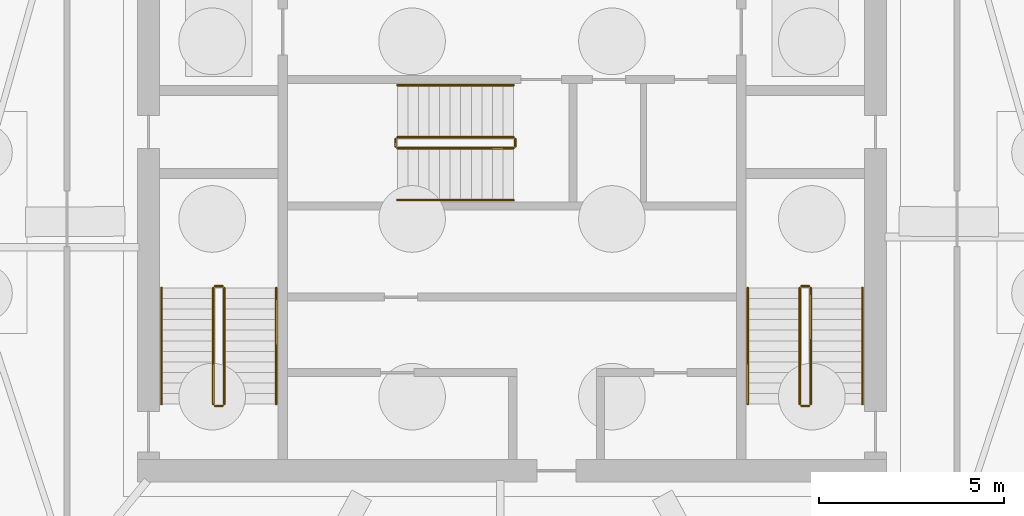
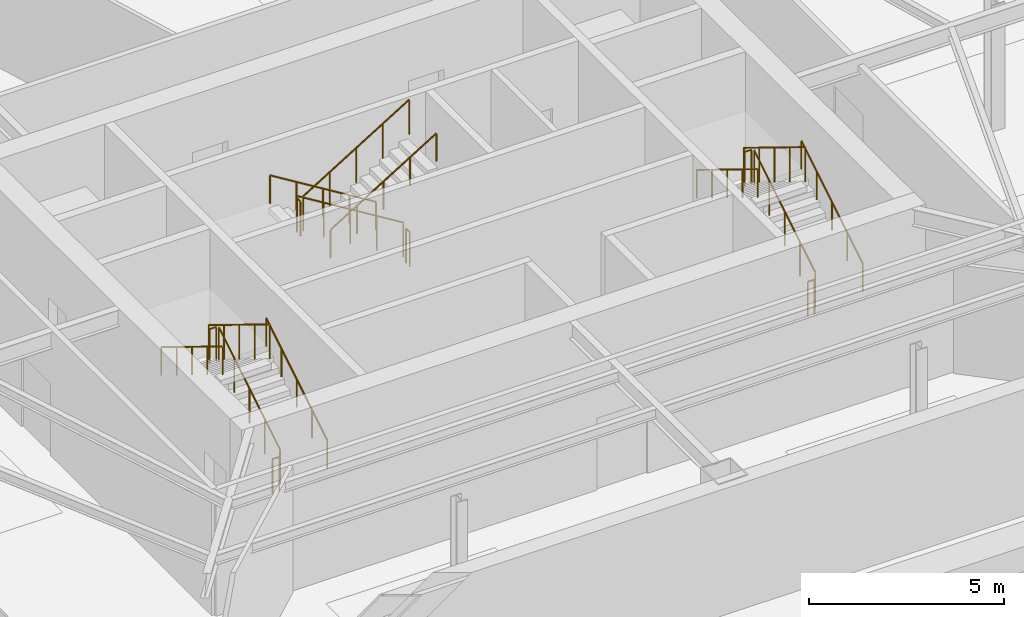
# One storey, part 10 of 11: 18 railings.
"""IFC4 building model written with IfcOpenShell, lengths in metres."""

from ifc_helpers import new_model, si_unit, direction, frame, origin, origin_2d, place, context, subcontext, project, spatial, circle, extrude, material, type_object, element, save


model = new_model("IFC4")

# Units and contexts
model_context = context("Model", 3, precision=1e-05, world=origin(), true_north=direction((0.0, 1.0)))
body_context = subcontext(model_context, "Body", "Model", "MODEL_VIEW")
ifc_project = project(units=[si_unit("LENGTHUNIT", "METRE"), si_unit("AREAUNIT", "SQUARE_METRE"), si_unit("VOLUMEUNIT", "CUBIC_METRE"), si_unit("PLANEANGLEUNIT", "RADIAN"), si_unit("MASSUNIT", "GRAM", prefix="KILO")], contexts=[model_context])

# Site, building, storey
site_placement = place(None, origin())
site = spatial("IfcSite", under=ifc_project, at=site_placement, CompositionType="ELEMENT")
building_placement = place(site_placement, origin())
building = spatial("IfcBuilding", under=site, at=building_placement, Name="Kavelnor Concourse Tower", CompositionType="ELEMENT")
storey_placement = place(building_placement, frame((0.0, 0.0, -8.39990234375)))
storey = spatial("IfcBuildingStorey", under=building, at=storey_placement, Name="B02", CompositionType="ELEMENT", Elevation=-8.39990234375)

# Railings
ifc_material = material(Name="Steel Grade 350", Category="steel")
railing_type_1 = type_object("IfcRailingType", Name="RLG-GUARD-1100", PredefinedType="GUARDRAIL", material=ifc_material)
railing_1_placement = place(storey_placement, frame((30.22998046875, 11.10009765625, 0.1748046875)))
element("IfcRailing", 1, at=railing_1_placement, inside=storey, type_object=railing_type_1, Name="B02 ST1 stair guard 1", PredefinedType="GUARDRAIL", context=body_context, shape_type="SweptSolid", body=[
    extrude(circle(Radius=0.02392578125, at=origin_2d()), frame((0.0, 0.0, 1.076171875), z_axis=(0.0, 0.852166034122, 0.523271488128), x_axis=(-1.0, 0.0, 0.0)), (0.0, 0.0, 1.0), 3.678955078125),
    extrude(circle(Radius=0.02099609375, at=origin_2d()), origin(), (0.0, 0.0, 1.0), 1.052001953125),
    extrude(circle(Radius=0.02099609375, at=origin_2d()), frame((0.0, 0.78369140625, 0.481201171875)), (0.0, 0.0, 1.0), 1.052001953125),
    extrude(circle(Radius=0.02099609375, at=origin_2d()), frame((0.0, 1.5673828125, 0.96240234375)), (0.0, 0.0, 1.0), 1.052001953125),
    extrude(circle(Radius=0.02099609375, at=origin_2d()), frame((0.0, 2.351318359375, 1.44384765625)), (0.0, 0.0, 1.0), 1.052001953125),
    extrude(circle(Radius=0.02099609375, at=origin_2d()), frame((0.0, 3.135009765625, 1.925048828125)), (0.0, 0.0, 1.0), 1.052001953125),
])
railing_2_placement = place(storey_placement, frame((30.179931640625, 14.284912109375, 2.099853515625)))
element("IfcRailing", 2, at=railing_2_placement, inside=storey, type_object=railing_type_1, Name="B02 ST1 stair guard 2", PredefinedType="GUARDRAIL", context=body_context, shape_type="SweptSolid", body=[
    extrude(circle(Radius=0.02392578125, at=origin_2d()), frame((0.0, 0.0, 1.076171875), z_axis=(-1.0, 0.0, 0.0), x_axis=(0.0, -1.0, 0.0)), (0.0, 0.0, 1.0), 0.199951171875),
    extrude(circle(Radius=0.02099609375, at=origin_2d()), origin(), (0.0, 0.0, 1.0), 1.052001953125),
    extrude(circle(Radius=0.02099609375, at=origin_2d()), frame((-0.199951171875, 0.0, 0.0)), (0.0, 0.0, 1.0), 1.052001953125),
])
railing_3_placement = place(storey_placement, frame((29.929931640625, 14.235107421875, 2.27490234375)))
element("IfcRailing", 3, at=railing_3_placement, inside=storey, type_object=railing_type_1, Name="B02 ST1 stair guard 3", PredefinedType="GUARDRAIL", context=body_context, shape_type="SweptSolid", body=[
    extrude(circle(Radius=0.02392578125, at=origin_2d()), frame((0.0, 0.0, 1.076171875), z_axis=(0.0, -0.852166034122, 0.523271488128), x_axis=(1.0, 0.0, 0.0)), (0.0, 0.0, 1.0), 3.678955078125),
    extrude(circle(Radius=0.02099609375, at=origin_2d()), origin(), (0.0, 0.0, 1.0), 1.052001953125),
    extrude(circle(Radius=0.02099609375, at=origin_2d()), frame((0.0, -0.78369140625, 0.481201171875)), (0.0, 0.0, 1.0), 1.052001953125),
    extrude(circle(Radius=0.02099609375, at=origin_2d()), frame((0.0, -1.5673828125, 0.96240234375)), (0.0, 0.0, 1.0), 1.052001953125),
    extrude(circle(Radius=0.02099609375, at=origin_2d()), frame((0.0, -2.351318359375, 1.44384765625)), (0.0, 0.0, 1.0), 1.052001953125),
    extrude(circle(Radius=0.02099609375, at=origin_2d()), frame((0.0, -3.135009765625, 1.925048828125)), (0.0, 0.0, 1.0), 1.052001953125),
])
railing_4_placement = place(storey_placement, frame((30.179931640625, 11.050048828125, 0.0)))
element("IfcRailing", 4, at=railing_4_placement, inside=storey, type_object=railing_type_1, Name="B02 ST1 stair guard 4", PredefinedType="GUARDRAIL", context=body_context, shape_type="SweptSolid", body=[
    extrude(circle(Radius=0.02392578125, at=origin_2d()), frame((0.0, 0.0, 1.076171875), z_axis=(-1.0, 0.0, 0.0), x_axis=(0.0, -1.0, 0.0)), (0.0, 0.0, 1.0), 0.199951171875),
    extrude(circle(Radius=0.02099609375, at=origin_2d()), origin(), (0.0, 0.0, 1.0), 1.052001953125),
    extrude(circle(Radius=0.02099609375, at=origin_2d()), frame((-0.199951171875, 0.0, 0.0)), (0.0, 0.0, 1.0), 1.052001953125),
])
railing_5_placement = place(storey_placement, frame((46.070068359375, 11.10009765625, 0.1748046875)))
element("IfcRailing", 5, at=railing_5_placement, inside=storey, type_object=railing_type_1, Name="B02 ST2 stair guard 1", PredefinedType="GUARDRAIL", context=body_context, shape_type="SweptSolid", body=[
    extrude(circle(Radius=0.02392578125, at=origin_2d()), frame((0.0, 0.0, 1.076171875), z_axis=(0.0, 0.852166034122, 0.523271488128), x_axis=(-1.0, 0.0, 0.0)), (0.0, 0.0, 1.0), 3.678955078125),
    extrude(circle(Radius=0.02099609375, at=origin_2d()), origin(), (0.0, 0.0, 1.0), 1.052001953125),
    extrude(circle(Radius=0.02099609375, at=origin_2d()), frame((0.0, 0.78369140625, 0.481201171875)), (0.0, 0.0, 1.0), 1.052001953125),
    extrude(circle(Radius=0.02099609375, at=origin_2d()), frame((0.0, 1.5673828125, 0.96240234375)), (0.0, 0.0, 1.0), 1.052001953125),
    extrude(circle(Radius=0.02099609375, at=origin_2d()), frame((0.0, 2.351318359375, 1.44384765625)), (0.0, 0.0, 1.0), 1.052001953125),
    extrude(circle(Radius=0.02099609375, at=origin_2d()), frame((0.0, 3.135009765625, 1.925048828125)), (0.0, 0.0, 1.0), 1.052001953125),
])
railing_6_placement = place(storey_placement, frame((46.02001953125, 14.284912109375, 2.099853515625)))
element("IfcRailing", 6, at=railing_6_placement, inside=storey, type_object=railing_type_1, Name="B02 ST2 stair guard 2", PredefinedType="GUARDRAIL", context=body_context, shape_type="SweptSolid", body=[
    extrude(circle(Radius=0.02392578125, at=origin_2d()), frame((0.0, 0.0, 1.076171875), z_axis=(-1.0, 0.0, 0.0), x_axis=(0.0, -1.0, 0.0)), (0.0, 0.0, 1.0), 0.199951171875),
    extrude(circle(Radius=0.02099609375, at=origin_2d()), origin(), (0.0, 0.0, 1.0), 1.052001953125),
    extrude(circle(Radius=0.02099609375, at=origin_2d()), frame((-0.199951171875, 0.0, 0.0)), (0.0, 0.0, 1.0), 1.052001953125),
])
railing_7_placement = place(storey_placement, frame((45.77001953125, 14.235107421875, 2.27490234375)))
element("IfcRailing", 7, at=railing_7_placement, inside=storey, type_object=railing_type_1, Name="B02 ST2 stair guard 3", PredefinedType="GUARDRAIL", context=body_context, shape_type="SweptSolid", body=[
    extrude(circle(Radius=0.02392578125, at=origin_2d()), frame((0.0, 0.0, 1.076171875), z_axis=(0.0, -0.852166034122, 0.523271488128), x_axis=(1.0, 0.0, 0.0)), (0.0, 0.0, 1.0), 3.678955078125),
    extrude(circle(Radius=0.02099609375, at=origin_2d()), origin(), (0.0, 0.0, 1.0), 1.052001953125),
    extrude(circle(Radius=0.02099609375, at=origin_2d()), frame((0.0, -0.78369140625, 0.481201171875)), (0.0, 0.0, 1.0), 1.052001953125),
    extrude(circle(Radius=0.02099609375, at=origin_2d()), frame((0.0, -1.5673828125, 0.96240234375)), (0.0, 0.0, 1.0), 1.052001953125),
    extrude(circle(Radius=0.02099609375, at=origin_2d()), frame((0.0, -2.351318359375, 1.44384765625)), (0.0, 0.0, 1.0), 1.052001953125),
    extrude(circle(Radius=0.02099609375, at=origin_2d()), frame((0.0, -3.135009765625, 1.925048828125)), (0.0, 0.0, 1.0), 1.052001953125),
])
railing_8_placement = place(storey_placement, frame((46.02001953125, 11.050048828125, 0.0)))
element("IfcRailing", 8, at=railing_8_placement, inside=storey, type_object=railing_type_1, Name="B02 ST2 stair guard 4", PredefinedType="GUARDRAIL", context=body_context, shape_type="SweptSolid", body=[
    extrude(circle(Radius=0.02392578125, at=origin_2d()), frame((0.0, 0.0, 1.076171875), z_axis=(-1.0, 0.0, 0.0), x_axis=(0.0, -1.0, 0.0)), (0.0, 0.0, 1.0), 0.199951171875),
    extrude(circle(Radius=0.02099609375, at=origin_2d()), origin(), (0.0, 0.0, 1.0), 1.052001953125),
    extrude(circle(Radius=0.02099609375, at=origin_2d()), frame((-0.199951171875, 0.0, 0.0)), (0.0, 0.0, 1.0), 1.052001953125),
])
railing_9_placement = place(storey_placement, frame((38.0400390625, 18.31005859375, 0.1748046875)))
element("IfcRailing", 9, at=railing_9_placement, inside=storey, type_object=railing_type_1, Name="B02 ST3 stair guard 1", PredefinedType="GUARDRAIL", context=body_context, shape_type="SweptSolid", body=[
    extrude(circle(Radius=0.02392578125, at=origin_2d()), frame((0.0, 0.0, 1.076171875), z_axis=(-0.852166034122, 0.0, 0.523271488128), x_axis=(0.0, -1.0, 0.0)), (0.0, 0.0, 1.0), 3.678955078125),
    extrude(circle(Radius=0.02099609375, at=origin_2d()), origin(), (0.0, 0.0, 1.0), 1.052001953125),
    extrude(circle(Radius=0.02099609375, at=origin_2d()), frame((-0.78369140625, 0.0, 0.481201171875)), (0.0, 0.0, 1.0), 1.052001953125),
    extrude(circle(Radius=0.02099609375, at=origin_2d()), frame((-1.5673828125, 0.0, 0.96240234375)), (0.0, 0.0, 1.0), 1.052001953125),
    extrude(circle(Radius=0.02099609375, at=origin_2d()), frame((-2.351318359375, 0.0, 1.44384765625)), (0.0, 0.0, 1.0), 1.052001953125),
    extrude(circle(Radius=0.02099609375, at=origin_2d()), frame((-3.135009765625, 0.0, 1.925048828125)), (0.0, 0.0, 1.0), 1.052001953125),
])
railing_10_placement = place(storey_placement, frame((34.85498046875, 18.260009765625, 2.099853515625)))
element("IfcRailing", 10, at=railing_10_placement, inside=storey, type_object=railing_type_1, Name="B02 ST3 stair guard 2", PredefinedType="GUARDRAIL", context=body_context, shape_type="SweptSolid", body=[
    extrude(circle(Radius=0.02392578125, at=origin_2d()), frame((0.0, 0.0, 1.076171875), z_axis=(0.0, -1.0, 0.0), x_axis=(1.0, 0.0, 0.0)), (0.0, 0.0, 1.0), 0.199951171875),
    extrude(circle(Radius=0.02099609375, at=origin_2d()), origin(), (0.0, 0.0, 1.0), 1.052001953125),
    extrude(circle(Radius=0.02099609375, at=origin_2d()), frame((0.0, -0.199951171875, 0.0)), (0.0, 0.0, 1.0), 1.052001953125),
])
railing_11_placement = place(storey_placement, frame((34.905029296875, 18.010009765625, 2.27490234375)))
element("IfcRailing", 11, at=railing_11_placement, inside=storey, type_object=railing_type_1, Name="B02 ST3 stair guard 3", PredefinedType="GUARDRAIL", context=body_context, shape_type="SweptSolid", body=[
    extrude(circle(Radius=0.02392578125, at=origin_2d()), frame((0.0, 0.0, 1.076171875), z_axis=(0.852166034122, 0.0, 0.523271488128), x_axis=(0.0, 1.0, 0.0)), (0.0, 0.0, 1.0), 3.678955078125),
    extrude(circle(Radius=0.02099609375, at=origin_2d()), origin(), (0.0, 0.0, 1.0), 1.052001953125),
    extrude(circle(Radius=0.02099609375, at=origin_2d()), frame((0.78369140625, 0.0, 0.481201171875)), (0.0, 0.0, 1.0), 1.052001953125),
    extrude(circle(Radius=0.02099609375, at=origin_2d()), frame((1.5673828125, 0.0, 0.96240234375)), (0.0, 0.0, 1.0), 1.052001953125),
    extrude(circle(Radius=0.02099609375, at=origin_2d()), frame((2.351318359375, 0.0, 1.44384765625)), (0.0, 0.0, 1.0), 1.052001953125),
    extrude(circle(Radius=0.02099609375, at=origin_2d()), frame((3.135009765625, 0.0, 1.925048828125)), (0.0, 0.0, 1.0), 1.052001953125),
])
railing_12_placement = place(storey_placement, frame((38.090087890625, 18.260009765625, 0.0)))
element("IfcRailing", 12, at=railing_12_placement, inside=storey, type_object=railing_type_1, Name="B02 ST3 stair guard 4", PredefinedType="GUARDRAIL", context=body_context, shape_type="SweptSolid", body=[
    extrude(circle(Radius=0.02392578125, at=origin_2d()), frame((0.0, 0.0, 1.076171875), z_axis=(0.0, -1.0, 0.0), x_axis=(1.0, 0.0, 0.0)), (0.0, 0.0, 1.0), 0.199951171875),
    extrude(circle(Radius=0.02099609375, at=origin_2d()), origin(), (0.0, 0.0, 1.0), 1.052001953125),
    extrude(circle(Radius=0.02099609375, at=origin_2d()), frame((0.0, -0.199951171875, 0.0)), (0.0, 0.0, 1.0), 1.052001953125),
])
railing_type_2 = type_object("IfcRailingType", Name="RLG-HANDRAIL-900", PredefinedType="HANDRAIL", material=ifc_material)
railing_13_placement = place(storey_placement, frame((31.6298828125, 11.10009765625, 0.1748046875)))
element("IfcRailing", 13, at=railing_13_placement, inside=storey, type_object=railing_type_2, Name="B02 ST1 stair handrail 1", PredefinedType="HANDRAIL", context=body_context, shape_type="SweptSolid", body=[
    extrude(circle(Radius=0.02392578125, at=origin_2d()), frame((0.0, 0.0, 0.8759765625), z_axis=(0.0, 0.852166034122, 0.523271488128), x_axis=(-1.0, 0.0, 0.0)), (0.0, 0.0, 1.0), 3.678955078125),
    extrude(circle(Radius=0.02099609375, at=origin_2d()), origin(), (0.0, 0.0, 1.0), 0.851806640625),
    extrude(circle(Radius=0.02099609375, at=origin_2d()), frame((0.0, 0.78369140625, 0.481201171875)), (0.0, 0.0, 1.0), 0.851806640625),
    extrude(circle(Radius=0.02099609375, at=origin_2d()), frame((0.0, 1.5673828125, 0.96240234375)), (0.0, 0.0, 1.0), 0.851806640625),
    extrude(circle(Radius=0.02099609375, at=origin_2d()), frame((0.0, 2.351318359375, 1.44384765625)), (0.0, 0.0, 1.0), 0.851806640625),
    extrude(circle(Radius=0.02099609375, at=origin_2d()), frame((0.0, 3.135009765625, 1.925048828125)), (0.0, 0.0, 1.0), 0.851806640625),
])
railing_14_placement = place(storey_placement, frame((28.530029296875, 14.235107421875, 2.27490234375)))
element("IfcRailing", 14, at=railing_14_placement, inside=storey, type_object=railing_type_2, Name="B02 ST1 stair handrail 2", PredefinedType="HANDRAIL", context=body_context, shape_type="SweptSolid", body=[
    extrude(circle(Radius=0.02392578125, at=origin_2d()), frame((0.0, 0.0, 0.8759765625), z_axis=(0.0, -0.852166034122, 0.523271488128), x_axis=(1.0, 0.0, 0.0)), (0.0, 0.0, 1.0), 3.678955078125),
    extrude(circle(Radius=0.02099609375, at=origin_2d()), origin(), (0.0, 0.0, 1.0), 0.851806640625),
    extrude(circle(Radius=0.02099609375, at=origin_2d()), frame((0.0, -0.78369140625, 0.481201171875)), (0.0, 0.0, 1.0), 0.851806640625),
    extrude(circle(Radius=0.02099609375, at=origin_2d()), frame((0.0, -1.5673828125, 0.96240234375)), (0.0, 0.0, 1.0), 0.851806640625),
    extrude(circle(Radius=0.02099609375, at=origin_2d()), frame((0.0, -2.351318359375, 1.44384765625)), (0.0, 0.0, 1.0), 0.851806640625),
    extrude(circle(Radius=0.02099609375, at=origin_2d()), frame((0.0, -3.135009765625, 1.925048828125)), (0.0, 0.0, 1.0), 0.851806640625),
])
railing_15_placement = place(storey_placement, frame((47.469970703125, 11.10009765625, 0.1748046875)))
element("IfcRailing", 15, at=railing_15_placement, inside=storey, type_object=railing_type_2, Name="B02 ST2 stair handrail 1", PredefinedType="HANDRAIL", context=body_context, shape_type="SweptSolid", body=[
    extrude(circle(Radius=0.02392578125, at=origin_2d()), frame((0.0, 0.0, 0.8759765625), z_axis=(0.0, 0.852166034122, 0.523271488128), x_axis=(-1.0, 0.0, 0.0)), (0.0, 0.0, 1.0), 3.678955078125),
    extrude(circle(Radius=0.02099609375, at=origin_2d()), origin(), (0.0, 0.0, 1.0), 0.851806640625),
    extrude(circle(Radius=0.02099609375, at=origin_2d()), frame((0.0, 0.78369140625, 0.481201171875)), (0.0, 0.0, 1.0), 0.851806640625),
    extrude(circle(Radius=0.02099609375, at=origin_2d()), frame((0.0, 1.5673828125, 0.96240234375)), (0.0, 0.0, 1.0), 0.851806640625),
    extrude(circle(Radius=0.02099609375, at=origin_2d()), frame((0.0, 2.351318359375, 1.44384765625)), (0.0, 0.0, 1.0), 0.851806640625),
    extrude(circle(Radius=0.02099609375, at=origin_2d()), frame((0.0, 3.135009765625, 1.925048828125)), (0.0, 0.0, 1.0), 0.851806640625),
])
railing_16_placement = place(storey_placement, frame((44.3701171875, 14.235107421875, 2.27490234375)))
element("IfcRailing", 16, at=railing_16_placement, inside=storey, type_object=railing_type_2, Name="B02 ST2 stair handrail 2", PredefinedType="HANDRAIL", context=body_context, shape_type="SweptSolid", body=[
    extrude(circle(Radius=0.02392578125, at=origin_2d()), frame((0.0, 0.0, 0.8759765625), z_axis=(0.0, -0.852166034122, 0.523271488128), x_axis=(1.0, 0.0, 0.0)), (0.0, 0.0, 1.0), 3.678955078125),
    extrude(circle(Radius=0.02099609375, at=origin_2d()), origin(), (0.0, 0.0, 1.0), 0.851806640625),
    extrude(circle(Radius=0.02099609375, at=origin_2d()), frame((0.0, -0.78369140625, 0.481201171875)), (0.0, 0.0, 1.0), 0.851806640625),
    extrude(circle(Radius=0.02099609375, at=origin_2d()), frame((0.0, -1.5673828125, 0.96240234375)), (0.0, 0.0, 1.0), 0.851806640625),
    extrude(circle(Radius=0.02099609375, at=origin_2d()), frame((0.0, -2.351318359375, 1.44384765625)), (0.0, 0.0, 1.0), 0.851806640625),
    extrude(circle(Radius=0.02099609375, at=origin_2d()), frame((0.0, -3.135009765625, 1.925048828125)), (0.0, 0.0, 1.0), 0.851806640625),
])
railing_17_placement = place(storey_placement, frame((38.0400390625, 19.7099609375, 0.1748046875)))
element("IfcRailing", 17, at=railing_17_placement, inside=storey, type_object=railing_type_2, Name="B02 ST3 stair handrail 1", PredefinedType="HANDRAIL", context=body_context, shape_type="SweptSolid", body=[
    extrude(circle(Radius=0.02392578125, at=origin_2d()), frame((0.0, 0.0, 0.8759765625), z_axis=(-0.852166034122, 0.0, 0.523271488128), x_axis=(0.0, -1.0, 0.0)), (0.0, 0.0, 1.0), 3.678955078125),
    extrude(circle(Radius=0.02099609375, at=origin_2d()), origin(), (0.0, 0.0, 1.0), 0.851806640625),
    extrude(circle(Radius=0.02099609375, at=origin_2d()), frame((-0.78369140625, 0.0, 0.481201171875)), (0.0, 0.0, 1.0), 0.851806640625),
    extrude(circle(Radius=0.02099609375, at=origin_2d()), frame((-1.5673828125, 0.0, 0.96240234375)), (0.0, 0.0, 1.0), 0.851806640625),
    extrude(circle(Radius=0.02099609375, at=origin_2d()), frame((-2.351318359375, 0.0, 1.44384765625)), (0.0, 0.0, 1.0), 0.851806640625),
    extrude(circle(Radius=0.02099609375, at=origin_2d()), frame((-3.135009765625, 0.0, 1.925048828125)), (0.0, 0.0, 1.0), 0.851806640625),
])
railing_18_placement = place(storey_placement, frame((34.905029296875, 16.610107421875, 2.27490234375)))
element("IfcRailing", 18, at=railing_18_placement, inside=storey, type_object=railing_type_2, Name="B02 ST3 stair handrail 2", PredefinedType="HANDRAIL", context=body_context, shape_type="SweptSolid", body=[
    extrude(circle(Radius=0.02392578125, at=origin_2d()), frame((0.0, 0.0, 0.8759765625), z_axis=(0.852166034122, 0.0, 0.523271488128), x_axis=(0.0, 1.0, 0.0)), (0.0, 0.0, 1.0), 3.678955078125),
    extrude(circle(Radius=0.02099609375, at=origin_2d()), origin(), (0.0, 0.0, 1.0), 0.851806640625),
    extrude(circle(Radius=0.02099609375, at=origin_2d()), frame((0.78369140625, 0.0, 0.481201171875)), (0.0, 0.0, 1.0), 0.851806640625),
    extrude(circle(Radius=0.02099609375, at=origin_2d()), frame((1.5673828125, 0.0, 0.96240234375)), (0.0, 0.0, 1.0), 0.851806640625),
    extrude(circle(Radius=0.02099609375, at=origin_2d()), frame((2.351318359375, 0.0, 1.44384765625)), (0.0, 0.0, 1.0), 0.851806640625),
    extrude(circle(Radius=0.02099609375, at=origin_2d()), frame((3.135009765625, 0.0, 1.925048828125)), (0.0, 0.0, 1.0), 0.851806640625),
])

save(model, "model.ifc")
